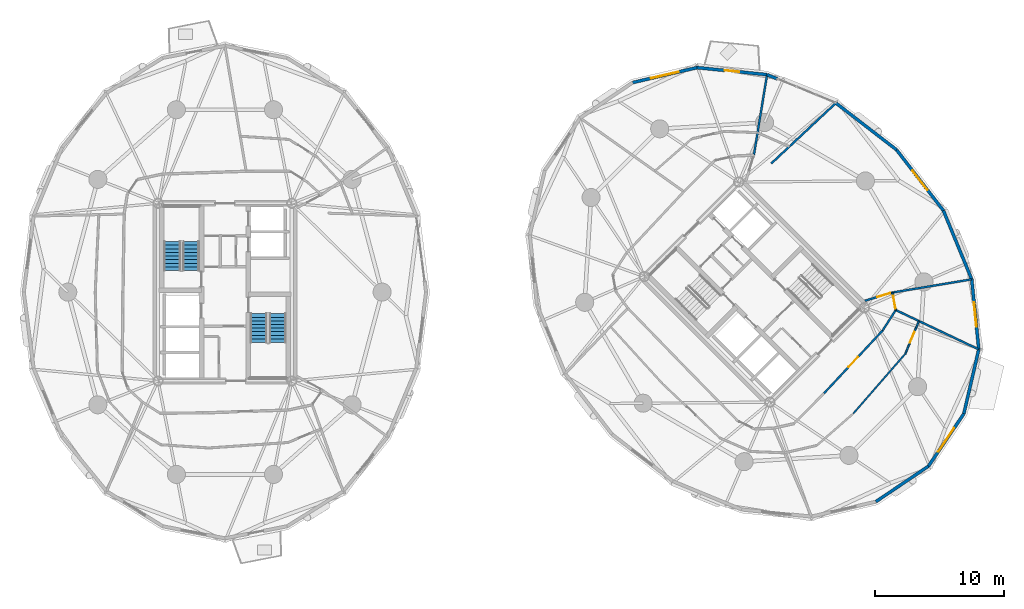
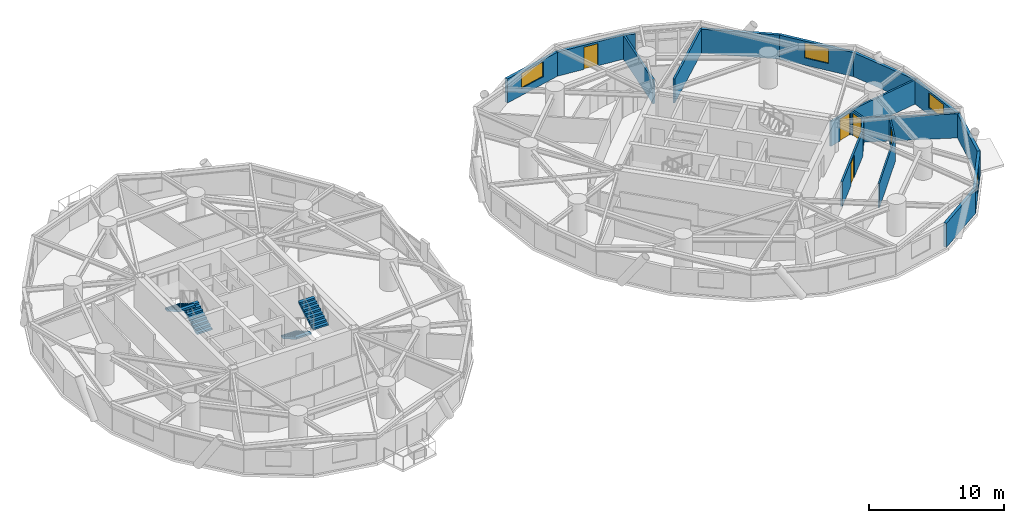
# One storey, part 14 of 18: 20 walls, 5 doors, 4 stair flights, 4 windows, 9 openings, 2 elements without a shape of their own.
"""IFC4 building model written with IfcOpenShell, lengths in metres."""

from ifc_helpers import new_model, si_unit, direction, frame, frame_2d, origin, place, context, subcontext, project, spatial, polyline, rectangle, outline, extrude, source, transform, mapped, material, layer, layer_set, type_object, element, fill, aggregate, save


model = new_model("IFC4")

# Units and contexts
model_context = context("Model", 3, precision=1e-05, world=origin(), true_north=direction((0.0, 1.0)))
body_context = subcontext(model_context, "Body", "Model", "MODEL_VIEW")
ifc_project = project(units=[si_unit("LENGTHUNIT", "METRE"), si_unit("AREAUNIT", "SQUARE_METRE"), si_unit("VOLUMEUNIT", "CUBIC_METRE"), si_unit("PLANEANGLEUNIT", "RADIAN"), si_unit("MASSUNIT", "GRAM", prefix="KILO")], contexts=[model_context])

# Site, building, storey
site_placement = place(None, origin())
site = spatial("IfcSite", under=ifc_project, at=site_placement, CompositionType="ELEMENT")
building_placement = place(site_placement, origin())
building = spatial("IfcBuilding", under=site, at=building_placement, Name="Cununo Teusaquillo Station Towers", CompositionType="ELEMENT")
storey_placement = place(building_placement, frame((0.0, 0.0, 105.070068359375)))
storey = spatial("IfcBuildingStorey", under=building, at=storey_placement, Name="L33", CompositionType="ELEMENT", Elevation=105.070068359375)

# Walls
ifc_material_1 = material(Name="Precast concrete C40/50", Category="concrete")
ifc_layer_1 = layer(ifc_material_1, 0.239990234375)
ifc_layer_set_1 = layer_set([ifc_layer_1], Name="Precast concrete C40/50")
wall_type_1 = type_object("IfcWallType", Name="WL-EXT-240", PredefinedType="SOLIDWALL", material=ifc_layer_set_1)
wall_1_placement = place(storey_placement, frame((63.811279296875, 39.145263671875, 0.0), z_axis=(0.0, 0.0, 1.0), x_axis=(0.791982052206, -0.61054437102, 0.0)))
element("IfcWall", 1, at=wall_1_placement, inside=storey, type_object=wall_type_1, Name="L33 Tower B Exterior Facade Wall C00", PredefinedType="SOLIDWALL", context=body_context, shape_type="SweptSolid", body=[
    extrude(rectangle(XDim=5.942138671875, YDim=0.239990234375, at=frame_2d((2.97119140625, 0.0))), origin(), (0.0, 0.0, 1.0), 2.178955078125),
])
wall_2_placement = place(storey_placement, frame((58.4873046875, 41.33935546875, 0.0), z_axis=(0.0, 0.0, 1.0), x_axis=(0.924556017656, -0.381046152345, 0.0)))
element("IfcWall", 2, at=wall_2_placement, inside=storey, type_object=wall_type_1, Name="L33 Tower B Column Pier Cladding Wall C01-PA", PredefinedType="SOLIDWALL", context=body_context, shape_type="SweptSolid", body=[
    extrude(rectangle(XDim=0.8701171875, YDim=0.239990234375, at=frame_2d((0.43505859375, 0.0))), origin(), (0.0, 0.0, 1.0), 2.178955078125),
])

# Wall, opening, door
wall_3_placement = place(storey_placement, frame((53.066650390625, 41.885009765625, 0.0), z_axis=(0.0, 0.0, 1.0), x_axis=(0.994971754311, -0.10015591906, 0.0)))
wall_3 = element("IfcWall", 3, at=wall_3_placement, inside=storey, type_object=wall_type_1, Name="L33 Tower B Exterior Facade Wall C02", PredefinedType="SOLIDWALL", context=body_context, shape_type="SweptSolid", body=[
    extrude(rectangle(XDim=5.447998046875, YDim=0.239990234375, at=frame_2d((2.72412109375, 0.0))), origin(), (0.0, 0.0, 1.0), 2.178955078125),
])
shared_shape_1 = source(origin(), body_context, "Body", "SweptSolid", [
    extrude(rectangle(XDim=1.14990234375, YDim=2.0048828125, at=frame_2d((0.574951171875, 1.00244140625))), frame((0.0, 0.1298828125, 0.0), z_axis=(0.0, -1.0, 0.0), x_axis=(1.0, 0.0, 0.0)), (0.0, 0.0, 1.0), 0.260009765625),
])
opening_1_placement = place(wall_3_placement, frame((2.14892578125, 0.0, 0.0)))
opening_1 = element("IfcOpeningElement", 4, at=opening_1_placement, cuts=wall_3, Name="Opening ED-03", PredefinedType="OPENING", context=body_context, shape_type="MappedRepresentation", body=[
    mapped(shared_shape_1, transform((0.0, 0.0, 0.0), x_axis=(1.0, 0.0, 0.0), y_axis=(0.0, 1.0, 0.0), z_axis=(0.0, 0.0, 1.0), scale=1.0)),
])
ifc_material_2 = material(Name="Anodised dark bronze aluminium EN AW-6063-T6", Category="aluminium")
door_type_1 = type_object("IfcDoorType", Name="DR-EXT-BAL", OperationType="NOTDEFINED", PredefinedType="DOOR", material=ifc_material_2)
shared_shape_2 = source(origin(), body_context, "Body", "SweptSolid", [
    extrude(rectangle(XDim=1.14990234375, YDim=2.0048828125, at=frame_2d((0.574951171875, 1.00244140625))), frame((0.0, 0.02490234375, 0.0), z_axis=(0.0, -1.0, 0.0), x_axis=(1.0, 0.0, 0.0)), (0.0, 0.0, 1.0), 0.050048828125),
])
door_1_placement = place(opening_1_placement, origin())
door_1 = element("IfcDoor", 5, at=door_1_placement, inside=storey, type_object=door_type_1, Name="L33 Tower B Tree Balcony Door C02", OperationType="SINGLE_SWING_LEFT", OverallHeight=2.0048828125, OverallWidth=1.14990234375, PredefinedType="DOOR", context=body_context, shape_type="MappedRepresentation", body=[
    mapped(shared_shape_2, transform((0.0, 0.0, 0.0), x_axis=(1.0, 0.0, 0.0), y_axis=(0.0, 1.0, 0.0), z_axis=(0.0, 0.0, 1.0), scale=1.0)),
])
fill(opening_1, door_1)

# Wall, opening, window
wall_4_placement = place(storey_placement, frame((48.080078125, 40.72900390625, 0.0), z_axis=(0.0, 0.0, 1.0), x_axis=(0.974165631126, 0.225834725257, 0.0)))
wall_4 = element("IfcWall", 6, at=wall_4_placement, inside=storey, type_object=wall_type_1, Name="L33 Tower B Exterior Facade Wall C03", PredefinedType="SOLIDWALL", context=body_context, shape_type="SweptSolid", body=[
    extrude(rectangle(XDim=5.118896484375, YDim=0.239990234375, at=frame_2d((2.5595703125, 0.0))), origin(), (0.0, 0.0, 1.0), 2.178955078125),
])
shared_shape_3 = source(origin(), body_context, "Body", "SweptSolid", [
    extrude(rectangle(XDim=2.199951171875, YDim=1.35009765625, at=frame_2d((1.10009765625, 0.675048828125))), frame((0.0, 0.1298828125, 0.0), z_axis=(0.0, -1.0, 0.0), x_axis=(1.0, 0.0, 0.0)), (0.0, 0.0, 1.0), 0.260009765625),
])
opening_2_placement = place(wall_4_placement, frame((1.458984375, 0.0, 0.64990234375)))
opening_2 = element("IfcOpeningElement", 7, at=opening_2_placement, cuts=wall_4, Name="Opening WN-01", PredefinedType="OPENING", context=body_context, shape_type="MappedRepresentation", body=[
    mapped(shared_shape_3, transform((0.0, 0.0, 0.0), x_axis=(1.0, 0.0, 0.0), y_axis=(0.0, 1.0, 0.0), z_axis=(0.0, 0.0, 1.0), scale=1.0)),
])
ifc_material_3 = material(Name="Ceramic-fritted dark low-E double glazing", Category="glass")
window_type_1 = type_object("IfcWindowType", Name="WIN-FRIT-2200", PartitioningType="DOUBLE_PANEL_VERTICAL", PredefinedType="WINDOW", material=ifc_material_3)
shared_shape_4 = source(origin(), body_context, "Body", "SweptSolid", [
    extrude(rectangle(XDim=2.199951171875, YDim=1.35009765625, at=frame_2d((1.10009765625, 0.675048828125))), frame((0.0, 0.030029296875, 0.0), z_axis=(0.0, -1.0, 0.0), x_axis=(1.0, 0.0, 0.0)), (0.0, 0.0, 1.0), 0.06005859375),
])
window_1_placement = place(opening_2_placement, origin())
window_1 = element("IfcWindow", 8, at=window_1_placement, inside=storey, type_object=window_type_1, Name="L33 Tower B Facade Window C03", OverallHeight=1.35009765625, OverallWidth=2.199951171875, PartitioningType="DOUBLE_PANEL_VERTICAL", PredefinedType="WINDOW", context=body_context, shape_type="MappedRepresentation", body=[
    mapped(shared_shape_4, transform((0.0, 0.0, 0.0), x_axis=(1.0, 0.0, 0.0), y_axis=(0.0, 1.0, 0.0), z_axis=(0.0, 0.0, 1.0), scale=1.0)),
])
fill(opening_2, window_1)

# Wall
wall_5_placement = place(storey_placement, frame((70.984619140625, 11.015380859375, 0.0), z_axis=(0.0, 0.0, 1.0), x_axis=(-0.828781148131, -0.559572880421, 0.0)))
element("IfcWall", 9, at=wall_5_placement, inside=storey, type_object=wall_type_1, Name="L33 Tower B Exterior Facade Wall C14", PredefinedType="SOLIDWALL", context=body_context, shape_type="SweptSolid", body=[
    extrude(rectangle(XDim=4.904541015625, YDim=0.239990234375, at=frame_2d((2.4521484375, 0.0))), origin(), (0.0, 0.0, 1.0), 2.178955078125),
])

# Wall, opening, window
wall_6_placement = place(storey_placement, frame((73.72900390625, 15.080078125, 0.0), z_axis=(0.0, 0.0, 1.0), x_axis=(-0.559572880421, -0.828781148131, 0.0)))
wall_6 = element("IfcWall", 10, at=wall_6_placement, inside=storey, type_object=wall_type_1, Name="L33 Tower B Exterior Facade Wall C15", PredefinedType="SOLIDWALL", context=body_context, shape_type="SweptSolid", body=[
    extrude(rectangle(XDim=4.904541015625, YDim=0.239990234375, at=frame_2d((2.4521484375, 0.0))), origin(), (0.0, 0.0, 1.0), 2.178955078125),
])
opening_3_placement = place(wall_6_placement, frame((1.35205078125, 0.0, 0.64990234375)))
opening_3 = element("IfcOpeningElement", 11, at=opening_3_placement, cuts=wall_6, Name="Opening WN-01", PredefinedType="OPENING", context=body_context, shape_type="MappedRepresentation", body=[
    mapped(shared_shape_3, transform((0.0, 0.0, 0.0), x_axis=(1.0, 0.0, 0.0), y_axis=(0.0, 1.0, 0.0), z_axis=(0.0, 0.0, 1.0), scale=1.0)),
])
window_2_placement = place(opening_3_placement, origin())
window_2 = element("IfcWindow", 12, at=window_2_placement, inside=storey, type_object=window_type_1, Name="L33 Tower B Facade Window C15", OverallHeight=1.35009765625, OverallWidth=2.199951171875, PartitioningType="DOUBLE_PANEL_VERTICAL", PredefinedType="WINDOW", context=body_context, shape_type="MappedRepresentation", body=[
    mapped(shared_shape_4, transform((0.0, 0.0, 0.0), x_axis=(1.0, 0.0, 0.0), y_axis=(0.0, 1.0, 0.0), z_axis=(0.0, 0.0, 1.0), scale=1.0)),
])
fill(opening_3, window_2)

# Wall
wall_7_placement = place(storey_placement, frame((74.885009765625, 20.066650390625, 0.0), z_axis=(0.0, 0.0, 1.0), x_axis=(-0.225834725257, -0.974165631126, 0.0)))
element("IfcWall", 13, at=wall_7_placement, inside=storey, type_object=wall_type_1, Name="L33 Tower B Exterior Facade Wall C16", PredefinedType="SOLIDWALL", context=body_context, shape_type="SweptSolid", body=[
    extrude(rectangle(XDim=5.118896484375, YDim=0.239990234375, at=frame_2d((2.5595703125, 0.0))), origin(), (0.0, 0.0, 1.0), 2.178955078125),
])

# Wall, opening, window
wall_8_placement = place(storey_placement, frame((74.33935546875, 25.4873046875, 0.0), z_axis=(0.0, 0.0, 1.0), x_axis=(0.10015591906, -0.994971754311, 0.0)))
wall_8 = element("IfcWall", 14, at=wall_8_placement, inside=storey, type_object=wall_type_1, Name="L33 Tower B Exterior Facade Wall C17", PredefinedType="SOLIDWALL", context=body_context, shape_type="SweptSolid", body=[
    extrude(rectangle(XDim=5.447998046875, YDim=0.239990234375, at=frame_2d((2.72412109375, 0.0))), origin(), (0.0, 0.0, 1.0), 2.178955078125),
])
shared_shape_5 = source(origin(), body_context, "Body", "SweptSolid", [
    extrude(rectangle(XDim=1.89990234375, YDim=1.35009765625, at=frame_2d((0.949951171875, 0.675048828125))), frame((0.0, 0.1298828125, 0.0), z_axis=(0.0, -1.0, 0.0), x_axis=(1.0, 0.0, 0.0)), (0.0, 0.0, 1.0), 0.260009765625),
])
opening_4_placement = place(wall_8_placement, frame((1.77392578125, 0.0, 0.64990234375)))
opening_4 = element("IfcOpeningElement", 15, at=opening_4_placement, cuts=wall_8, Name="Opening WN-02", PredefinedType="OPENING", context=body_context, shape_type="MappedRepresentation", body=[
    mapped(shared_shape_5, transform((0.0, 0.0, 0.0), x_axis=(1.0, 0.0, 0.0), y_axis=(0.0, 1.0, 0.0), z_axis=(0.0, 0.0, 1.0), scale=1.0)),
])
ifc_material_4 = material(Name="Operable acoustic tinted low-E double glazing", Category="glass")
window_type_2 = type_object("IfcWindowType", Name="WIN-OPER-1900", PartitioningType="DOUBLE_PANEL_VERTICAL", PredefinedType="WINDOW", material=ifc_material_4)
shared_shape_6 = source(origin(), body_context, "Body", "SweptSolid", [
    extrude(rectangle(XDim=1.89990234375, YDim=1.35009765625, at=frame_2d((0.949951171875, 0.675048828125))), frame((0.0, 0.030029296875, 0.0), z_axis=(0.0, -1.0, 0.0), x_axis=(1.0, 0.0, 0.0)), (0.0, 0.0, 1.0), 0.06005859375),
])
window_3_placement = place(opening_4_placement, origin())
window_3 = element("IfcWindow", 16, at=window_3_placement, inside=storey, type_object=window_type_2, Name="L33 Tower B Facade Window C17", OverallHeight=1.35009765625, OverallWidth=1.89990234375, PartitioningType="DOUBLE_PANEL_VERTICAL", PredefinedType="WINDOW", context=body_context, shape_type="MappedRepresentation", body=[
    mapped(shared_shape_6, transform((0.0, 0.0, 0.0), x_axis=(1.0, 0.0, 0.0), y_axis=(0.0, 1.0, 0.0), z_axis=(0.0, 0.0, 1.0), scale=1.0)),
])
fill(opening_4, window_3)

# Wall
wall_9_placement = place(storey_placement, frame((72.145263671875, 30.811279296875, 0.0), z_axis=(0.0, 0.0, 1.0), x_axis=(0.381027003055, -0.924563909604, 0.0)))
element("IfcWall", 17, at=wall_9_placement, inside=storey, type_object=wall_type_1, Name="L33 Tower B Exterior Facade Wall C18", PredefinedType="SOLIDWALL", context=body_context, shape_type="SweptSolid", body=[
    extrude(rectangle(XDim=5.75830078125, YDim=0.239990234375, at=frame_2d((2.879150390625, 0.0))), origin(), (0.0, 0.0, 1.0), 2.178955078125),
])

# Wall, opening, window
wall_10_placement = place(storey_placement, frame((68.517333984375, 35.517333984375, 0.0), z_axis=(0.0, 0.0, 1.0), x_axis=(0.61054437102, -0.791982052206, 0.0)))
wall_10 = element("IfcWall", 18, at=wall_10_placement, inside=storey, type_object=wall_type_1, Name="L33 Tower B Exterior Facade Wall C19", PredefinedType="SOLIDWALL", context=body_context, shape_type="SweptSolid", body=[
    extrude(rectangle(XDim=5.942138671875, YDim=0.239990234375, at=frame_2d((2.97119140625, 0.0))), origin(), (0.0, 0.0, 1.0), 2.178955078125),
])
opening_5_placement = place(wall_10_placement, frame((2.02099609375, 0.0, 0.64990234375)))
opening_5 = element("IfcOpeningElement", 19, at=opening_5_placement, cuts=wall_10, Name="Opening WN-02", PredefinedType="OPENING", context=body_context, shape_type="MappedRepresentation", body=[
    mapped(shared_shape_5, transform((0.0, 0.0, 0.0), x_axis=(1.0, 0.0, 0.0), y_axis=(0.0, 1.0, 0.0), z_axis=(0.0, 0.0, 1.0), scale=1.0)),
])
window_4_placement = place(opening_5_placement, origin())
window_4 = element("IfcWindow", 20, at=window_4_placement, inside=storey, type_object=window_type_2, Name="L33 Tower B Facade Window C19", OverallHeight=1.35009765625, OverallWidth=1.89990234375, PartitioningType="DOUBLE_PANEL_VERTICAL", PredefinedType="WINDOW", context=body_context, shape_type="MappedRepresentation", body=[
    mapped(shared_shape_6, transform((0.0, 0.0, 0.0), x_axis=(1.0, 0.0, 0.0), y_axis=(0.0, 1.0, 0.0), z_axis=(0.0, 0.0, 1.0), scale=1.0)),
])
fill(opening_5, window_4)

# Wall
ifc_material_5 = material(Name="Fire-rated gypsum plasterboard partition assembly", Category="gypsum")
ifc_layer_2 = layer(ifc_material_5, 0.125)
ifc_layer_set_2 = layer_set([ifc_layer_2], Name="Fire-rated gypsum plasterboard partition assembly")
wall_type_2 = type_object("IfcWallType", Name="WL-PART-125", PredefinedType="PARTITIONING", material=ifc_layer_set_2)
wall_11_placement = place(storey_placement, frame((65.16162109375, 15.088134765625, 0.0), z_axis=(0.0, 0.0, 1.0), x_axis=(0.656379509785, 0.754430871011, 0.0)))
element("IfcWall", 21, at=wall_11_placement, inside=storey, type_object=wall_type_2, Name="L33 Tower B Cultural Attache Workplace Concentric Partition Wall C15", PredefinedType="PARTITIONING", context=body_context, shape_type="SweptSolid", body=[
    extrude(rectangle(XDim=6.14013671875, YDim=0.125, at=frame_2d((3.070068359375, 0.0))), origin(), (0.0, 0.0, 1.0), 2.224853515625),
])

# Wall, opening, door
wall_12_placement = place(storey_placement, frame((69.19189453125, 19.720458984375, 0.0), z_axis=(0.0, 0.0, 1.0), x_axis=(0.384899070029, 0.922958669655, 0.0)))
wall_12 = element("IfcWall", 22, at=wall_12_placement, inside=storey, type_object=wall_type_2, Name="L33 Tower B Cultural Attache Workplace Concentric Partition Wall C16", PredefinedType="PARTITIONING", context=body_context, shape_type="SweptSolid", body=[
    extrude(rectangle(XDim=2.749755859375, YDim=0.125, at=frame_2d((1.375, 0.0))), origin(), (0.0, 0.0, 1.0), 2.178955078125),
])
shared_shape_7 = source(origin(), body_context, "Body", "SweptSolid", [
    extrude(rectangle(XDim=0.89990234375, YDim=2.0048828125, at=frame_2d((0.449951171875, 1.00244140625))), frame((0.0, 0.072509765625, 0.0), z_axis=(0.0, -1.0, 0.0), x_axis=(1.0, 0.0, 0.0)), (0.0, 0.0, 1.0), 0.14501953125),
])
opening_6_placement = place(wall_12_placement, frame((0.9248046875, 0.0, 0.0)))
opening_6 = element("IfcOpeningElement", 23, at=opening_6_placement, cuts=wall_12, Name="Opening D-IN1", PredefinedType="OPENING", context=body_context, shape_type="MappedRepresentation", body=[
    mapped(shared_shape_7, transform((0.0, 0.0, 0.0), x_axis=(1.0, 0.0, 0.0), y_axis=(0.0, 1.0, 0.0), z_axis=(0.0, 0.0, 1.0), scale=1.0)),
])
ifc_material_6 = material(Name="Acoustic solid-core hardwood leaf assembly", Category="wood")
door_type_2 = type_object("IfcDoorType", Name="DR-INT-900", OperationType="NOTDEFINED", PredefinedType="DOOR", material=ifc_material_6)
shared_shape_8 = source(origin(), body_context, "Body", "SweptSolid", [
    extrude(rectangle(XDim=0.89990234375, YDim=2.0048828125, at=frame_2d((0.449951171875, 1.00244140625))), frame((0.0, 0.02490234375, 0.0), z_axis=(0.0, -1.0, 0.0), x_axis=(1.0, 0.0, 0.0)), (0.0, 0.0, 1.0), 0.050048828125),
])
door_2_placement = place(opening_6_placement, origin())
door_2 = element("IfcDoor", 24, at=door_2_placement, inside=storey, type_object=door_type_2, Name="L33 Tower B Cultural Attache Workplace Connecting Door", OperationType="SINGLE_SWING_RIGHT", OverallHeight=2.0048828125, OverallWidth=0.89990234375, PredefinedType="DOOR", context=body_context, shape_type="MappedRepresentation", body=[
    mapped(shared_shape_8, transform((0.0, 0.0, 0.0), x_axis=(1.0, 0.0, 0.0), y_axis=(0.0, 1.0, 0.0), z_axis=(0.0, 0.0, 1.0), scale=1.0)),
])
fill(opening_6, door_2)

ifc_material_7 = material(Name="Fire-rated gypsum plasterboard partition assembly", Category="gypsum")
ifc_layer_3 = layer(ifc_material_7, 0.14990234375)
ifc_layer_set_3 = layer_set([ifc_layer_3], Name="Fire-rated gypsum plasterboard partition assembly")
wall_type_3 = type_object("IfcWallType", Name="WL-PART-150", PredefinedType="PARTITIONING", material=ifc_layer_set_3)
wall_13_placement = place(storey_placement, frame((62.902587890625, 16.66650390625, 0.0), z_axis=(0.0, 0.0, 1.0), x_axis=(0.682371947497, 0.731005147225, 0.0)))
wall_13 = element("IfcWall", 25, at=wall_13_placement, inside=storey, type_object=wall_type_3, Name="L33 Tower B Corridor Ring Wall C15", PredefinedType="PARTITIONING", context=body_context, shape_type="SweptSolid", body=[
    extrude(rectangle(XDim=6.6416015625, YDim=0.14990234375, at=frame_2d((3.32080078125, 0.0))), origin(), (0.0, 0.0, 1.0), 2.224853515625),
])
shared_shape_9 = source(origin(), body_context, "Body", "SweptSolid", [
    extrude(rectangle(XDim=1.050048828125, YDim=2.014892578125, at=frame_2d((0.52490234375, 1.00732421875))), frame((0.0, 0.0849609375, 0.0), z_axis=(0.0, -1.0, 0.0), x_axis=(1.0, 0.0, 0.0)), (0.0, 0.0, 1.0), 0.169921875),
])
opening_7_placement = place(wall_13_placement, frame((2.7958984375, 0.0, 0.0)))
opening_7 = element("IfcOpeningElement", 26, at=opening_7_placement, cuts=wall_13, Name="Opening D-SU1", PredefinedType="OPENING", context=body_context, shape_type="MappedRepresentation", body=[
    mapped(shared_shape_9, transform((0.0, 0.0, 0.0), x_axis=(1.0, 0.0, 0.0), y_axis=(0.0, 1.0, 0.0), z_axis=(0.0, 0.0, 1.0), scale=1.0)),
])
ifc_material_8 = material(Name="Acoustic solid-core hardwood leaf assembly", Category="wood")
door_type_3 = type_object("IfcDoorType", Name="DR-SUITE-1050", OperationType="NOTDEFINED", PredefinedType="DOOR", material=ifc_material_8)
shared_shape_10 = source(origin(), body_context, "Body", "SweptSolid", [
    extrude(rectangle(XDim=1.050048828125, YDim=2.014892578125, at=frame_2d((0.52490234375, 1.00732421875))), frame((0.0, 0.02490234375, 0.0), z_axis=(0.0, -1.0, 0.0), x_axis=(1.0, 0.0, 0.0)), (0.0, 0.0, 1.0), 0.050048828125),
])
door_3_placement = place(opening_7_placement, origin())
door_3 = element("IfcDoor", 27, at=door_3_placement, inside=storey, type_object=door_type_3, Name="L33 Tower B Cultural Attache Workplace Entrance Door", OperationType="SINGLE_SWING_LEFT", OverallHeight=2.014892578125, OverallWidth=1.050048828125, PredefinedType="DOOR", context=body_context, shape_type="MappedRepresentation", body=[
    mapped(shared_shape_10, transform((0.0, 0.0, 0.0), x_axis=(1.0, 0.0, 0.0), y_axis=(0.0, 1.0, 0.0), z_axis=(0.0, 0.0, 1.0), scale=1.0)),
])
fill(opening_7, door_3)

# Wall
wall_14_placement = place(storey_placement, frame((67.4345703125, 21.521484375, 0.0), z_axis=(0.0, 0.0, 1.0), x_axis=(0.540777197838, 0.841165870859, 0.0)))
element("IfcWall", 28, at=wall_14_placement, inside=storey, type_object=wall_type_3, Name="L33 Tower B Corridor Ring Wall C16", PredefinedType="PARTITIONING", context=body_context, shape_type="SweptSolid", body=[
    extrude(rectangle(XDim=1.887939453125, YDim=0.14990234375, at=frame_2d((0.94384765625, 0.0))), origin(), (0.0, 0.0, 1.0), 2.224853515625),
])

# Wall, opening, door
wall_15_placement = place(storey_placement, frame((68.45556640625, 23.109619140625, 0.0), z_axis=(0.0, 0.0, 1.0), x_axis=(-0.1772522795, 0.984165448191, 0.0)))
wall_15 = element("IfcWall", 29, at=wall_15_placement, inside=storey, type_object=wall_type_3, Name="L33 Tower B Corridor Ring Wall C17", PredefinedType="PARTITIONING", context=body_context, shape_type="SweptSolid", body=[
    extrude(rectangle(XDim=1.381591796875, YDim=0.14990234375, at=frame_2d((0.69091796875, 0.0))), origin(), (0.0, 0.0, 1.0), 2.224853515625),
])
shared_shape_11 = source(origin(), body_context, "Body", "SweptSolid", [
    extrude(rectangle(XDim=1.0, YDim=2.014892578125, at=frame_2d((0.5, 1.00732421875))), frame((0.0, 0.0849609375, 0.0), z_axis=(0.0, -1.0, 0.0), x_axis=(1.0, 0.0, 0.0)), (0.0, 0.0, 1.0), 0.169921875),
])
opening_8_placement = place(wall_15_placement, frame((0.1201171875, 0.0, 0.0)))
opening_8 = element("IfcOpeningElement", 30, at=opening_8_placement, cuts=wall_15, Name="Opening D-AC1", PredefinedType="OPENING", context=body_context, shape_type="MappedRepresentation", body=[
    mapped(shared_shape_11, transform((0.0, 0.0, 0.0), x_axis=(1.0, 0.0, 0.0), y_axis=(0.0, 1.0, 0.0), z_axis=(0.0, 0.0, 1.0), scale=1.0)),
])
ifc_material_9 = material(Name="Acoustic solid-core hardwood leaf assembly", Category="wood")
door_type_4 = type_object("IfcDoorType", Name="DR-ACC-1000", OperationType="NOTDEFINED", PredefinedType="DOOR", material=ifc_material_9)
shared_shape_12 = source(origin(), body_context, "Body", "SweptSolid", [
    extrude(rectangle(XDim=1.0, YDim=2.014892578125, at=frame_2d((0.5, 1.00732421875))), frame((0.0, 0.02490234375, 0.0), z_axis=(0.0, -1.0, 0.0), x_axis=(1.0, 0.0, 0.0)), (0.0, 0.0, 1.0), 0.050048828125),
])
door_4_placement = place(opening_8_placement, origin())
door_4 = element("IfcDoor", 31, at=door_4_placement, inside=storey, type_object=door_type_4, Name="L33 Tower B Public Accessible Restroom WC Entrance Door", OperationType="SINGLE_SWING_LEFT", OverallHeight=2.014892578125, OverallWidth=1.0, PredefinedType="DOOR", context=body_context, shape_type="MappedRepresentation", body=[
    mapped(shared_shape_12, transform((0.0, 0.0, 0.0), x_axis=(1.0, 0.0, 0.0), y_axis=(0.0, 1.0, 0.0), z_axis=(0.0, 0.0, 1.0), scale=1.0)),
])
fill(opening_8, door_4)

# Walls
ifc_material_10 = material(Name="Fire-rated gypsum plasterboard partition assembly", Category="gypsum")
ifc_layer_4 = layer(ifc_material_10, 0.159912109375)
ifc_layer_set_4 = layer_set([ifc_layer_4], Name="Fire-rated gypsum plasterboard partition assembly")
wall_type_4 = type_object("IfcWallType", Name="WL-PART-160", PredefinedType="PARTITIONING", material=ifc_layer_set_4)
wall_16_placement = place(storey_placement, frame((58.811767578125, 34.458251953125, 0.0), z_axis=(0.0, 0.0, 1.0), x_axis=(0.73022196979, 0.683209978584, 0.0)))
element("IfcWall", 32, at=wall_16_placement, inside=storey, type_object=wall_type_4, Name="L33 Tower B Radial Suite Partition R01", PredefinedType="PARTITIONING", context=body_context, shape_type="SweptSolid", body=[
    extrude(rectangle(XDim=6.834228515625, YDim=0.159912109375, at=frame_2d((3.4169921875, 0.0))), origin(), (0.0, 0.0, 1.0), 2.178955078125),
])
wall_17_placement = place(storey_placement, frame((57.466796875, 35.111328125, 0.0), z_axis=(0.0, 0.0, 1.0), x_axis=(0.161711214096, 0.98683812413, 0.0)))
element("IfcWall", 33, at=wall_17_placement, inside=storey, type_object=wall_type_4, Name="L33 Tower B Radial Suite Partition R02", PredefinedType="PARTITIONING", context=body_context, shape_type="SweptSolid", body=[
    extrude(rectangle(XDim=6.291015625, YDim=0.159912109375, at=frame_2d((3.1455078125, 0.0))), origin(), (0.0, 0.0, 1.0), 2.178955078125),
])
wall_18_placement = place(storey_placement, frame((68.45556640625, 23.109619140625, 0.0), z_axis=(0.0, 0.0, 1.0), x_axis=(0.903539425667, -0.428504966442, 0.0)))
element("IfcWall", 34, at=wall_18_placement, inside=storey, type_object=wall_type_4, Name="L33 Tower B Radial Suite Partition R06", PredefinedType="PARTITIONING", context=body_context, shape_type="SweptSolid", body=[
    extrude(rectangle(XDim=7.093994140625, YDim=0.159912109375, at=frame_2d((3.546875, 0.0))), origin(), (0.0, 0.0, 1.0), 2.178955078125),
])
wall_19_placement = place(storey_placement, frame((68.210693359375, 24.46923828125, 0.0), z_axis=(0.0, 0.0, 1.0), x_axis=(0.986479033329, 0.163887512651, 0.0)))
element("IfcWall", 35, at=wall_19_placement, inside=storey, type_object=wall_type_4, Name="L33 Tower B Radial Suite Partition R07", PredefinedType="PARTITIONING", context=body_context, shape_type="SweptSolid", body=[
    extrude(rectangle(XDim=6.192626953125, YDim=0.159912109375, at=frame_2d((3.09619140625, 0.0))), origin(), (0.0, 0.0, 1.0), 2.178955078125),
])

# Wall, opening, door
wall_20_placement = place(storey_placement, frame((66.055908203125, 23.828125, 0.0), z_axis=(0.0, 0.0, 1.0), x_axis=(0.958475403544, 0.285175210708, 0.0)))
wall_20 = element("IfcWall", 36, at=wall_20_placement, inside=storey, type_object=wall_type_4, Name="L33 Tower B East Salon Corridor Portal Wall SE", PredefinedType="PARTITIONING", context=body_context, shape_type="SweptSolid", body=[
    extrude(rectangle(XDim=2.248046875, YDim=0.159912109375, at=frame_2d((1.1240234375, 0.0))), origin(), (0.0, 0.0, 1.0), 2.224853515625),
])
shared_shape_13 = source(origin(), body_context, "Body", "SweptSolid", [
    extrude(rectangle(XDim=1.050048828125, YDim=2.014892578125, at=frame_2d((0.52490234375, 1.00732421875))), frame((0.0, 0.08984375, 0.0), z_axis=(0.0, -1.0, 0.0), x_axis=(1.0, 0.0, 0.0)), (0.0, 0.0, 1.0), 0.179931640625),
])
opening_9_placement = place(wall_20_placement, frame((0.998046875, 0.0, 0.0)))
opening_9 = element("IfcOpeningElement", 37, at=opening_9_placement, cuts=wall_20, Name="Opening D-SU1", PredefinedType="OPENING", context=body_context, shape_type="MappedRepresentation", body=[
    mapped(shared_shape_13, transform((0.0, 0.0, 0.0), x_axis=(1.0, 0.0, 0.0), y_axis=(0.0, 1.0, 0.0), z_axis=(0.0, 0.0, 1.0), scale=1.0)),
])
door_5_placement = place(opening_9_placement, origin())
door_5 = element("IfcDoor", 38, at=door_5_placement, inside=storey, type_object=door_type_3, Name="L33 Tower B East Panorama Sky Salon Door SE", OperationType="SINGLE_SWING_LEFT", OverallHeight=2.014892578125, OverallWidth=1.050048828125, PredefinedType="DOOR", context=body_context, shape_type="MappedRepresentation", body=[
    mapped(shared_shape_10, transform((0.0, 0.0, 0.0), x_axis=(1.0, 0.0, 0.0), y_axis=(0.0, 1.0, 0.0), z_axis=(0.0, 0.0, 1.0), scale=1.0)),
])
fill(opening_9, door_5)

# Stair, stair flights
ifc_material_11 = material(Name="Concrete C50/60", Category="concrete")
stair_type = type_object("IfcStairType", Name="ST-TWR-1300", PredefinedType="HALF_TURN_STAIR", material=ifc_material_11)
stair_1_placement = place(storey_placement, origin())
stair_1 = element("IfcStair", 39, at=stair_1_placement, inside=storey, type_object=stair_type, Name="L33 Tower A Protected Core Exit Stair 1", PredefinedType="HALF_TURN_STAIR")
ifc_material_12 = material(Name="Concrete C50/60", Category="concrete")
stair_flight_type = type_object("IfcStairFlightType", Name="SFL-TWR-1300", PredefinedType="STRAIGHT", material=ifc_material_12)
stair_flight_1_placement = place(storey_placement, frame((13.8701171875, 26.169921875, 0.0), z_axis=(0.0, 0.0, 1.0), x_axis=(0.0, 1.0, 0.0)))
stair_flight_1 = element("IfcStairFlight", 40, at=stair_flight_1_placement, type_object=stair_flight_type, Name="ST-T1-1 flight 1", NumberOfRisers=9, NumberOfTreads=8, PredefinedType="STRAIGHT", RiserHeight=0.161666667, TreadLength=0.28, context=body_context, shape_type="SweptSolid", body=[
    extrude(outline(polyline([(0.0, 0.0), (0.0, 0.16162109375), (0.280029296875, 0.16162109375), (0.280029296875, 0.3232421875), (0.56005859375, 0.3232421875), (0.56005859375, 0.485107421875), (0.840087890625, 0.485107421875), (0.840087890625, 0.646728515625), (1.1201171875, 0.646728515625), (1.1201171875, 0.808349609375), (1.39990234375, 0.808349609375), (1.39990234375, 0.969970703125), (1.679931640625, 0.969970703125), (1.679931640625, 1.131591796875), (1.9599609375, 1.131591796875), (1.9599609375, 1.293212890625), (2.239990234375, 1.293212890625), (2.239990234375, 1.455078125), (2.239990234375, 1.1201171875), (0.2998046875, 0.0), (0.0, 0.0)])), frame((0.0, 0.64990234375, 0.0), z_axis=(0.0, -1.0, 0.0), x_axis=(1.0, 0.0, 0.0)), (0.0, 0.0, 1.0), 1.300048828125),
])
stair_flight_2_placement = place(storey_placement, frame((12.409912109375, 28.409912109375, 1.454833984375), z_axis=(0.0, 0.0, 1.0), x_axis=(0.0, -1.0, 0.0)))
stair_flight_2 = element("IfcStairFlight", 41, at=stair_flight_2_placement, type_object=stair_flight_type, Name="ST-T1-1 flight 2", NumberOfRisers=9, NumberOfTreads=8, PredefinedType="STRAIGHT", RiserHeight=0.161666667, TreadLength=0.28, context=body_context, shape_type="SweptSolid", body=[
    extrude(outline(polyline([(0.0, 0.0), (0.0, 0.16162109375), (0.280029296875, 0.16162109375), (0.280029296875, 0.3232421875), (0.56005859375, 0.3232421875), (0.56005859375, 0.485107421875), (0.840087890625, 0.485107421875), (0.840087890625, 0.646728515625), (1.1201171875, 0.646728515625), (1.1201171875, 0.808349609375), (1.39990234375, 0.808349609375), (1.39990234375, 0.969970703125), (1.679931640625, 0.969970703125), (1.679931640625, 1.131591796875), (1.9599609375, 1.131591796875), (1.9599609375, 1.293212890625), (2.239990234375, 1.293212890625), (2.239990234375, 1.455078125), (2.239990234375, 1.1201171875), (0.2998046875, 0.0), (0.0, 0.0)])), frame((0.0, 0.64990234375, 0.0), z_axis=(0.0, -1.0, 0.0), x_axis=(1.0, 0.0, 0.0)), (0.0, 0.0, 1.0), 1.300048828125),
])
aggregate(stair_1, [stair_flight_1, stair_flight_2])

stair_2_placement = place(storey_placement, origin())
stair_2 = element("IfcStair", 42, at=stair_2_placement, inside=storey, type_object=stair_type, Name="L33 Tower A Protected Core Exit Stair 2", PredefinedType="HALF_TURN_STAIR")
stair_flight_3_placement = place(storey_placement, frame((19.1298828125, 22.830078125, 0.0), z_axis=(0.0, 0.0, 1.0), x_axis=(0.0, -1.0, 0.0)))
stair_flight_3 = element("IfcStairFlight", 43, at=stair_flight_3_placement, type_object=stair_flight_type, Name="ST-T1-2 flight 1", NumberOfRisers=9, NumberOfTreads=8, PredefinedType="STRAIGHT", RiserHeight=0.161666667, TreadLength=0.28, context=body_context, shape_type="SweptSolid", body=[
    extrude(outline(polyline([(0.0, 0.0), (0.0, 0.16162109375), (0.280029296875, 0.16162109375), (0.280029296875, 0.3232421875), (0.56005859375, 0.3232421875), (0.56005859375, 0.485107421875), (0.840087890625, 0.485107421875), (0.840087890625, 0.646728515625), (1.1201171875, 0.646728515625), (1.1201171875, 0.808349609375), (1.39990234375, 0.808349609375), (1.39990234375, 0.969970703125), (1.679931640625, 0.969970703125), (1.679931640625, 1.131591796875), (1.9599609375, 1.131591796875), (1.9599609375, 1.293212890625), (2.239990234375, 1.293212890625), (2.239990234375, 1.455078125), (2.239990234375, 1.1201171875), (0.2998046875, 0.0), (0.0, 0.0)])), frame((0.0, 0.64990234375, 0.0), z_axis=(0.0, -1.0, 0.0), x_axis=(1.0, 0.0, 0.0)), (0.0, 0.0, 1.0), 1.300048828125),
])
stair_flight_4_placement = place(storey_placement, frame((20.590087890625, 20.590087890625, 1.454833984375), z_axis=(0.0, 0.0, 1.0), x_axis=(0.0, 1.0, 0.0)))
stair_flight_4 = element("IfcStairFlight", 44, at=stair_flight_4_placement, type_object=stair_flight_type, Name="ST-T1-2 flight 2", NumberOfRisers=9, NumberOfTreads=8, PredefinedType="STRAIGHT", RiserHeight=0.161666667, TreadLength=0.28, context=body_context, shape_type="SweptSolid", body=[
    extrude(outline(polyline([(0.0, 0.0), (0.0, 0.16162109375), (0.280029296875, 0.16162109375), (0.280029296875, 0.3232421875), (0.56005859375, 0.3232421875), (0.56005859375, 0.485107421875), (0.840087890625, 0.485107421875), (0.840087890625, 0.646728515625), (1.1201171875, 0.646728515625), (1.1201171875, 0.808349609375), (1.39990234375, 0.808349609375), (1.39990234375, 0.969970703125), (1.679931640625, 0.969970703125), (1.679931640625, 1.131591796875), (1.9599609375, 1.131591796875), (1.9599609375, 1.293212890625), (2.239990234375, 1.293212890625), (2.239990234375, 1.455078125), (2.239990234375, 1.1201171875), (0.2998046875, 0.0), (0.0, 0.0)])), frame((0.0, 0.64990234375, 0.0), z_axis=(0.0, -1.0, 0.0), x_axis=(1.0, 0.0, 0.0)), (0.0, 0.0, 1.0), 1.300048828125),
])
aggregate(stair_2, [stair_flight_3, stair_flight_4])

save(model, "model.ifc")
